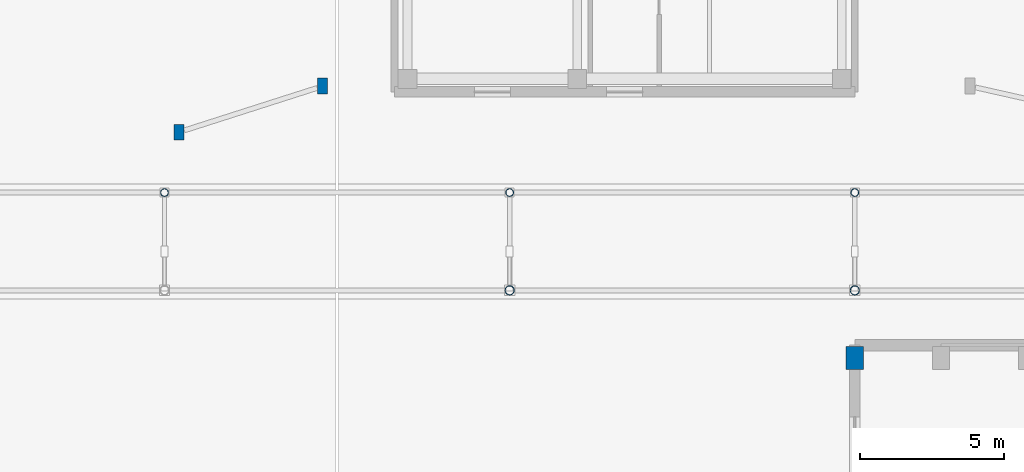
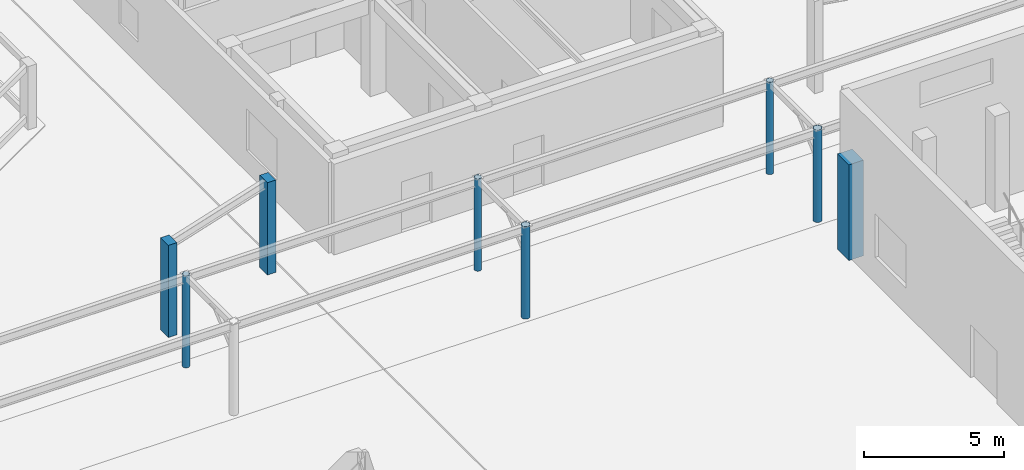
# One storey, part 4 of 114: 8 columns.
"""IFC4 building model written with IfcOpenShell, lengths in metres."""

from ifc_helpers import new_model, si_unit, direction, frame, origin, origin_2d, place, context, subcontext, project, spatial, rectangle, hollow_circle, extrude, material, material_profile, profile_set, type_object, element, save


model = new_model("IFC4")

# Units and contexts
model_context = context("Model", 3, precision=1e-05, world=origin(), true_north=direction((0.0, 1.0)))
body_context = subcontext(model_context, "Body", "Model", "MODEL_VIEW")
ifc_project = project(units=[si_unit("LENGTHUNIT", "METRE"), si_unit("AREAUNIT", "SQUARE_METRE"), si_unit("VOLUMEUNIT", "CUBIC_METRE"), si_unit("PLANEANGLEUNIT", "RADIAN"), si_unit("MASSUNIT", "GRAM", prefix="KILO")], contexts=[model_context])

# Site, building, storey
site_placement = place(None, origin())
site = spatial("IfcSite", under=ifc_project, at=site_placement, CompositionType="ELEMENT")
building_placement = place(site_placement, origin())
building = spatial("IfcBuilding", under=site, at=building_placement, Name="Keldmere Railside Commons", CompositionType="ELEMENT")
storey_placement = place(building_placement, origin())
storey = spatial("IfcBuildingStorey", under=building, at=storey_placement, Name="L00", CompositionType="ELEMENT", Elevation=0.0)

# Columns
ifc_material_1 = material(Name="Steel F-36 (S355)", Category="steel")
ifc_material_profile_1 = material_profile(ifc_material_1, hollow_circle(Radius=0.162109375, WallThickness=0.011962890625, at=origin_2d()), Name="CHS-324x12")
ifc_profile_set_1 = profile_set([ifc_material_profile_1], Name="Steel F-36 (S355)")
column_type_1 = type_object("IfcColumnType", Name="Colonnade Gallery Steel Column CHS324", PredefinedType="COLUMN", material=ifc_profile_set_1)
for number, where, z_axis, x_axis, name in (
    (1, (52.0, 49.10009765625, 0.0), (0.0, 0.0, 1.0), (1.0, 0.0, 0.0), "SC-1 COL-L00-0474"),
    (2, (64.0, 49.10009765625, 0.0), (0.0, 0.0, 1.0), (1.0, 0.0, 0.0), "SC-1 COL-L00-0634"),
):
    element("IfcColumn", number, at=place(storey_placement, frame(where, z_axis=z_axis, x_axis=x_axis)), inside=storey, type_object=column_type_1, Name=name, PredefinedType="COLUMN", context=body_context, shape_type="SweptSolid", body=[
        extrude(hollow_circle(Radius=0.162109375, WallThickness=0.011962890625, at=origin_2d()), origin(), (0.0, 0.0, 1.0), 4.010009765625),
    ])
ifc_material_2 = material(Name="Concrete H-40 (C40/50)", Category="concrete")
ifc_material_profile_2 = material_profile(ifc_material_2, rectangle(XDim=0.60009765625, YDim=0.800048828125, at=origin_2d()), Name="RC-600x800")
ifc_profile_set_2 = profile_set([ifc_material_profile_2], Name="Concrete H-40 (C40/50)")
column_type_2 = type_object("IfcColumnType", Name="Community Hall Pier Column 600x800", PredefinedType="COLUMN", material=ifc_profile_set_2)
column_placement = place(storey_placement, frame((64.0, 46.75, 0.0), z_axis=(0.0, 0.0, 1.0), x_axis=(1.0, 0.0, 0.0)))
element("IfcColumn", 3, at=column_placement, inside=storey, type_object=column_type_2, Name="C-HALL COL-L00-0631", PredefinedType="COLUMN", context=body_context, shape_type="SweptSolid", body=[
    extrude(rectangle(XDim=0.60009765625, YDim=0.800048828125, at=origin_2d()), origin(), (0.0, 0.0, 1.0), 4.159912109375),
])
ifc_material_profile_3 = material_profile(ifc_material_1, hollow_circle(Radius=0.136474609375, WallThickness=0.010009765625, at=origin_2d()), Name="CHS-273x10")
ifc_profile_set_3 = profile_set([ifc_material_profile_3], Name="Steel F-36 (S355)")
column_type_3 = type_object("IfcColumnType", Name="Entrance Canopy Steel Column CHS273", PredefinedType="COLUMN", material=ifc_profile_set_3)
for number, where, z_axis, x_axis, name in (
    (4, (40.0, 52.5, 0.0), (0.0, 0.0, 1.0), (1.0, 0.0, 0.0), "SC-2 COL-L00-0369"),
    (5, (52.0, 52.5, 0.0), (0.0, 0.0, 1.0), (1.0, 0.0, 0.0), "SC-2 COL-L00-0476"),
    (6, (64.0, 52.5, 0.0), (0.0, 0.0, 1.0), (1.0, 0.0, 0.0), "SC-2 COL-L00-0636"),
):
    element("IfcColumn", number, at=place(storey_placement, frame(where, z_axis=z_axis, x_axis=x_axis)), inside=storey, type_object=column_type_3, Name=name, PredefinedType="COLUMN", context=body_context, shape_type="SweptSolid", body=[
        extrude(hollow_circle(Radius=0.136474609375, WallThickness=0.010009765625, at=origin_2d()), origin(), (0.0, 0.0, 1.0), 4.010009765625),
    ])
ifc_material_3 = material(Name="Architectural Precast Concrete H-35 (C35/45)", Category="concrete")
ifc_material_profile_4 = material_profile(ifc_material_3, rectangle(XDim=0.35009765625, YDim=0.550048828125, at=origin_2d()), Name="RC-350x550")
ifc_profile_set_4 = profile_set([ifc_material_profile_4], Name="Architectural Precast Concrete H-35 (C35/45)")
column_type_4 = type_object("IfcColumnType", Name="Facade Precast Pilaster Column 350x550", PredefinedType="PILASTER", material=ifc_profile_set_4)
for number, where, z_axis, x_axis, name in (
    (7, (40.5, 54.60009765625, 0.0), (0.0, 0.0, 1.0), (1.0, 0.0, 0.0), "C-PIL COL-L00-0371"),
    (8, (45.5, 56.199951171875, 0.0), (0.0, 0.0, 1.0), (1.0, 0.0, 0.0), "C-PIL COL-L00-0384"),
):
    element("IfcColumn", number, at=place(storey_placement, frame(where, z_axis=z_axis, x_axis=x_axis)), inside=storey, type_object=column_type_4, Name=name, PredefinedType="PILASTER", context=body_context, shape_type="SweptSolid", body=[
        extrude(rectangle(XDim=0.35009765625, YDim=0.550048828125, at=origin_2d()), origin(), (0.0, 0.0, 1.0), 4.010009765625),
    ])

save(model, "model.ifc")
